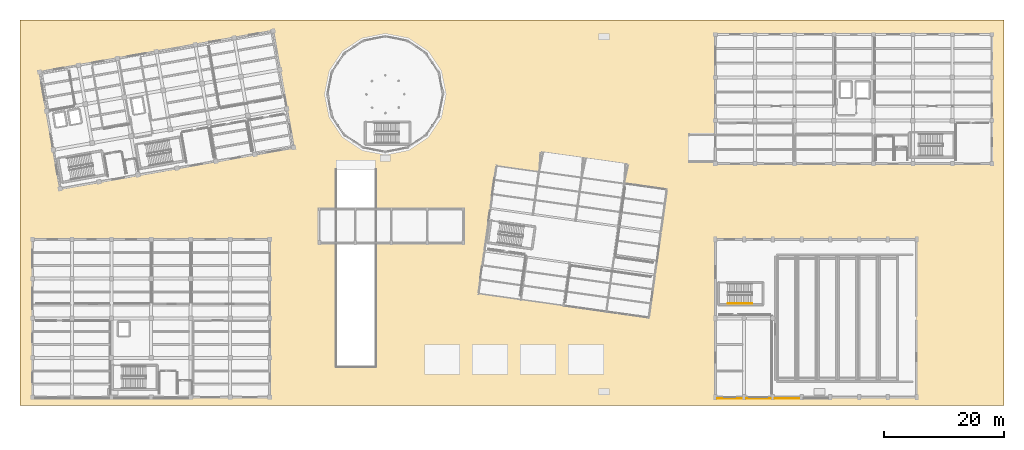
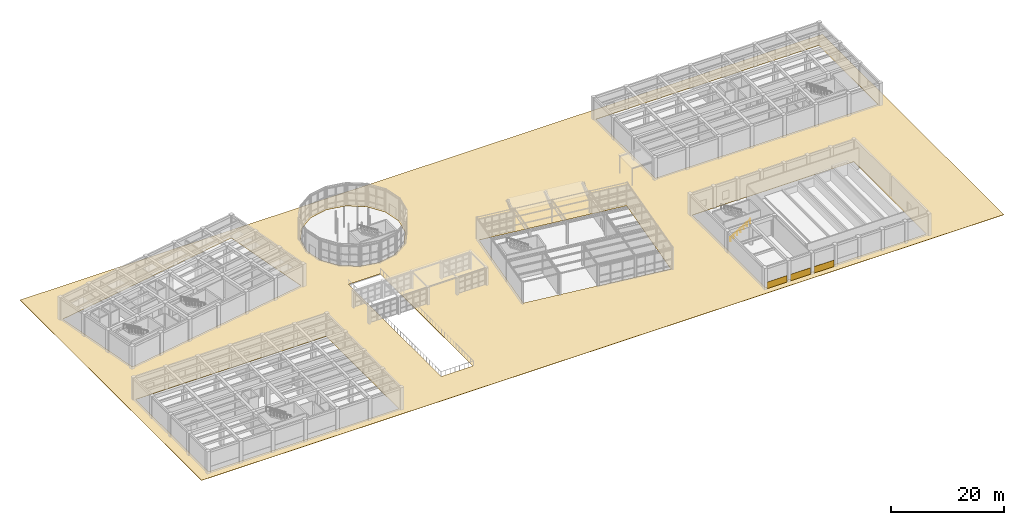
# One storey, part 56 of 57: 4 coverings, 1 railing.
"""IFC4 building model written with IfcOpenShell, lengths in metres."""

import ifcopenshell
import ifcopenshell.guid

model = None  # the IFC model being written
_history = None  # IfcOwnerHistory: only IFC2X3 demands one
_inside = {}  # id of a spatial element -> (the spatial element, [elements in it])
_under = {}  # id of a project, library or spatial element -> (it, [spatial elements below it])
_declared = {}  # id of a project -> (the project, [libraries it declares])
_typed = {}  # id of a type object -> (the type object, [elements of that type])
_made_of = {}  # id of a material, layer set ... -> (it, [elements and type objects made of it])


def new_model(schema):
    """Start an empty IFC model of exactly this schema.

    Asked for "IFC4X3", IfcOpenShell would pick the latest addendum, in which some entities
    have other attributes; the version numbers below select the first issue.
    IFC2X3 requires an IfcOwnerHistory on every rooted entity: one is made here for all.
    """
    global model, _history
    if schema == "IFC4X3":
        model = ifcopenshell.file(schema_version=(4, 3, 0, 0))
    else:
        model = ifcopenshell.file(schema=schema)
    _inside.clear()
    _under.clear()
    _declared.clear()
    _typed.clear()
    _made_of.clear()
    _history = None
    if model.schema == "IFC2X3":
        org = make("IfcOrganization", Name="unknown")
        user = make(
            "IfcPersonAndOrganization",
            ThePerson=make("IfcPerson", FamilyName="unknown"),
            TheOrganization=org,
        )
        app = make(
            "IfcApplication",
            ApplicationDeveloper=org,
            Version="unknown",
            ApplicationFullName="unknown",
            ApplicationIdentifier="unknown",
        )
        _history = make(
            "IfcOwnerHistory",
            OwningUser=user,
            OwningApplication=app,
            ChangeAction="ADDED",
            CreationDate=0,
        )
    return model


def make(cls, **values):
    """One entity of the class cls with the attributes given. An attribute that is None is left unset."""
    return model.create_entity(
        cls, **{name: value for name, value in values.items() if value is not None}
    )


def rooted(cls, **values):
    """An entity with a GlobalId (a new one), such as an element, a storey or a relation."""
    return make(cls, GlobalId=ifcopenshell.guid.new(), OwnerHistory=_history, **values)


def si_unit(unit_type, name, prefix=None):
    """IfcSIUnit, for example si_unit("LENGTHUNIT", "METRE", prefix="MILLI")."""
    return make("IfcSIUnit", UnitType=unit_type, Prefix=prefix, Name=name)


def assignment(units):
    """IfcUnitAssignment: the units of a project."""
    return None if units is None else make("IfcUnitAssignment", Units=units)


def point(xyz):
    """IfcCartesianPoint."""
    return None if xyz is None else make("IfcCartesianPoint", Coordinates=xyz)


def direction(xyz):
    """IfcDirection."""
    return None if xyz is None else make("IfcDirection", DirectionRatios=xyz)


def frame(location, z_axis=None, x_axis=None):
    """IfcAxis2Placement3D, a coordinate frame: its origin and axes. An axis left out is left unset."""
    return make(
        "IfcAxis2Placement3D",
        Location=point(location),
        Axis=direction(z_axis),
        RefDirection=direction(x_axis),
    )


def frame_2d(location, x_axis=None):
    """IfcAxis2Placement2D, a coordinate frame in the plane: its origin and x axis."""
    return make(
        "IfcAxis2Placement2D", Location=point(location), RefDirection=direction(x_axis)
    )


def origin():
    """The frame at (0, 0, 0) with its axes left unset."""
    return frame((0.0, 0.0, 0.0))


def origin_2d():
    """The frame at (0, 0) in the plane with its x axis left unset."""
    return frame_2d((0.0, 0.0))


def place(relative_to, where):
    """IfcLocalPlacement: puts the frame where relative to a parent placement (None: the world)."""
    return make(
        "IfcLocalPlacement", PlacementRelTo=relative_to, RelativePlacement=where
    )


def context(
    kind, dimensions, precision=None, world=None, true_north=None, identifier=None
):
    """IfcGeometricRepresentationContext, for example the 3D "Model" context."""
    return make(
        "IfcGeometricRepresentationContext",
        ContextIdentifier=identifier,
        ContextType=kind,
        CoordinateSpaceDimension=dimensions,
        Precision=precision,
        WorldCoordinateSystem=world,
        TrueNorth=true_north,
    )


def subcontext(parent, identifier, kind, view, scale=None):
    """IfcGeometricRepresentationSubContext, for example "Body" below "Model"."""
    return make(
        "IfcGeometricRepresentationSubContext",
        ContextIdentifier=identifier,
        ContextType=kind,
        ParentContext=parent,
        TargetScale=scale,
        TargetView=view,
    )


def project(units=None, contexts=None):
    """IfcProject with its units and contexts."""
    return rooted(
        "IfcProject",
        Name="project",
        RepresentationContexts=contexts,
        UnitsInContext=assignment(units),
    )


def spatial(cls, under=None, at=None, **own):
    """A site, building, storey or space (cls), placed at a placement, below another one or the project."""
    s = rooted(cls, ObjectPlacement=at, **own)
    if under is not None:
        _under.setdefault(under.id(), (under, []))[1].append(s)
    return s


def polyline(points):
    """IfcPolyline through the points."""
    return make("IfcPolyline", Points=[point(p) for p in points])


def profile(cls, at=None, kind="AREA", **sizes):
    """A parametric profile (cls). Its sizes go by their IFC names, for example OverallWidth=200.0."""
    return make(cls, ProfileType=kind, Position=at, **sizes)


def rectangle(**sizes):
    """IfcRectangleProfileDef."""
    return profile("IfcRectangleProfileDef", **sizes)


def circle(**sizes):
    """IfcCircleProfileDef."""
    return profile("IfcCircleProfileDef", **sizes)


def outline(outer, holes=None, kind="AREA"):
    """IfcArbitraryClosedProfileDef: a profile drawn as a closed curve; with holes, ...WithVoids."""
    if holes is None:
        return make("IfcArbitraryClosedProfileDef", ProfileType=kind, OuterCurve=outer)
    return make(
        "IfcArbitraryProfileDefWithVoids",
        ProfileType=kind,
        OuterCurve=outer,
        InnerCurves=holes,
    )


def extrude(swept, where, along, depth):
    """IfcExtrudedAreaSolid: the profile swept, set in the frame where, extruded along a direction by depth."""
    return make(
        "IfcExtrudedAreaSolid",
        SweptArea=swept,
        Position=where,
        ExtrudedDirection=direction(along),
        Depth=depth,
    )


def shape(context_of_items, identifier, shape_type, items):
    """IfcShapeRepresentation: the items that make up one representation, for example the "Body"."""
    return make(
        "IfcShapeRepresentation",
        ContextOfItems=context_of_items,
        RepresentationIdentifier=identifier,
        RepresentationType=shape_type,
        Items=items,
    )


def material(Name=None, Category=None):
    """IfcMaterial."""
    return make("IfcMaterial", Name=Name, Category=Category)


def layer(
    of_material, thickness, ventilated=None, Name=None, Category=None, Priority=None
):
    """IfcMaterialLayer: one layer of a wall or slab, of a material (None: an air gap)."""
    return make(
        "IfcMaterialLayer",
        Material=of_material,
        LayerThickness=thickness,
        IsVentilated=ventilated,
        Name=Name,
        Category=Category,
        Priority=Priority,
    )


def layer_set(layers, Name=None):
    """IfcMaterialLayerSet."""
    return make("IfcMaterialLayerSet", MaterialLayers=layers, LayerSetName=Name)


def made_of(thing, what):
    """Note that an element or type object is made of a material, layer set ...; save() writes the relation."""
    if what is not None:
        _made_of.setdefault(what.id(), (what, []))[1].append(thing)
    return thing


def type_object(cls, material=None, **own):
    """A type object (cls), such as IfcWallType, which elements share."""
    return made_of(rooted(cls, **own), material)


def element(
    cls,
    number,
    at=None,
    inside=None,
    cuts=None,
    type_object=None,
    material=None,
    context=None,
    identifier="Body",
    shape_type=None,
    held_by="IfcProductDefinitionShape",
    body=None,
    shapes=None,
    **own,
):
    """One element of the class cls, such as IfcWall. Its Tag is "e" and its number.

    at: its placement. inside: the storey or other place that contains it. cuts: it is an
    opening in that element (IfcRelVoidsElement). A single representation is given by context,
    identifier, shape_type and body (its items); several are given by shapes. held_by: the class
    of the entity that holds the representations. save() writes the other relations.
    """
    e = rooted(cls, Tag="e%d" % number, ObjectPlacement=at, **own)
    if body is not None:
        shapes = [shape(context, identifier, shape_type, body)]
    if shapes is not None:
        e.Representation = make(held_by, Representations=shapes)
    if inside is not None:
        _inside.setdefault(inside.id(), (inside, []))[1].append(e)
    if cuts is not None:
        rooted(
            "IfcRelVoidsElement", RelatingBuildingElement=cuts, RelatedOpeningElement=e
        )
    if type_object is not None:
        _typed.setdefault(type_object.id(), (type_object, []))[1].append(e)
    return made_of(e, material)


def aggregate(whole, parts):
    """IfcRelAggregates: a whole, such as a stair, and the parts it consists of."""
    return rooted("IfcRelAggregates", RelatingObject=whole, RelatedObjects=parts)


def save(model, path):
    """Write the relations noted so far, then the file.

    IfcRelAggregates (storeys below a building ...), IfcRelContainedInSpatialStructure (elements
    in a storey), IfcRelDefinesByType, IfcRelAssociatesMaterial and IfcRelDeclares: one each for
    every whole, place, type object, material and project.
    """
    for whole, parts in _under.values():
        aggregate(whole, parts)
    for where, things in _inside.values():
        rooted(
            "IfcRelContainedInSpatialStructure",
            RelatedElements=things,
            RelatingStructure=where,
        )
    for kind, things in _typed.values():
        rooted("IfcRelDefinesByType", RelatedObjects=things, RelatingType=kind)
    for what, things in _made_of.values():
        rooted("IfcRelAssociatesMaterial", RelatedObjects=things, RelatingMaterial=what)
    for by, libraries in _declared.values():
        rooted("IfcRelDeclares", RelatingContext=by, RelatedDefinitions=libraries)
    model.write(path)


model = new_model("IFC4")

# Units and contexts
model_context = context("Model", 3, precision=1e-05, world=origin(), true_north=direction((0.0, 1.0)))
body_context = subcontext(model_context, "Body", "Model", "MODEL_VIEW")
ifc_project = project(units=[si_unit("LENGTHUNIT", "METRE"), si_unit("AREAUNIT", "SQUARE_METRE"), si_unit("VOLUMEUNIT", "CUBIC_METRE"), si_unit("PLANEANGLEUNIT", "RADIAN"), si_unit("MASSUNIT", "GRAM", prefix="KILO")], contexts=[model_context])

# Site, building, storey
site_placement = place(None, origin())
site = spatial("IfcSite", under=ifc_project, at=site_placement, CompositionType="ELEMENT")
building_placement = place(site_placement, origin())
building = spatial("IfcBuilding", under=site, at=building_placement, Name="Kharisveld Research Institute", CompositionType="ELEMENT")
storey_placement = place(building_placement, origin())
storey = spatial("IfcBuildingStorey", under=building, at=storey_placement, Name="L00", CompositionType="ELEMENT", Elevation=0.0)

# Coverings
ifc_material_1 = material(Name="Khomas Mica-Schist Stone", Category="masonry")
ifc_layer_1 = layer(ifc_material_1, 0.054931640625)
ifc_layer_set_1 = layer_set([ifc_layer_1], Name="CV_CLAD_SCHIST")
covering_type_1 = type_object("IfcCoveringType", Name="CV_CLAD_SCHIST", PredefinedType="CLADDING", material=ifc_layer_set_1)
for number, where, z_axis, x_axis, name in (
    (1, (126.60009765625, 0.001953125, 0.0), (0.0, 0.0, 1.0), (-1.0, 0.0, 0.0), "COV:V5:L00:SCHIST_S3"),
    (2, (121.800048828125, 0.001953125, 0.0), (0.0, 0.0, 1.0), (-1.0, 0.0, 0.0), "COV:V5:L00:SCHIST_S2"),
    (3, (117.0, 0.001953125, 0.0), (0.0, 0.0, 1.0), (-1.0, 0.0, 0.0), "COV:V5:L00:SCHIST_S1"),
):
    element("IfcCovering", number, at=place(storey_placement, frame(where, z_axis=z_axis, x_axis=x_axis)), inside=storey, type_object=covering_type_1, Name=name, PredefinedType="CLADDING", context=body_context, shape_type="SweptSolid", body=[
        extrude(rectangle(XDim=4.090087890625, YDim=0.054931640625, at=origin_2d()), origin(), (0.0, 0.0, 1.0), 1.39990234375),
    ])
ifc_material_2 = material(Name="Khomas Quartzite Paving", Category="mineral")
ifc_layer_2 = layer(ifc_material_2, 0.06005859375)
ifc_layer_set_2 = layer_set([ifc_layer_2], Name="CV_PAVE_COURT")
covering_type_2 = type_object("IfcCoveringType", Name="CV_PAVE_COURT", PredefinedType="FLOORING", material=ifc_layer_set_2)
covering_placement = place(storey_placement, frame((0.0, 0.0, -0.06005859375)))
element("IfcCovering", 4, at=covering_placement, inside=storey, type_object=covering_type_2, Name="COV:L00:PAVE_CAMPUS", PredefinedType="FLOORING", context=body_context, shape_type="SweptSolid", body=[
    extrude(outline(polyline([(-1.5, -1.199951171875), (162.800048828125, -1.199951171875), (162.800048828125, 63.199951171875), (-1.5, 63.199951171875), (-1.5, -1.199951171875)]), holes=[polyline([(39.89990234375, 0.5), (0.89990234375, 0.5), (0.89990234375, 26.300048828125), (39.89990234375, 26.300048828125), (39.89990234375, 0.5)]), polyline([(114.89990234375, 0.5), (114.89990234375, 26.300048828125), (147.89990234375, 26.300048828125), (147.89990234375, 0.5), (114.89990234375, 0.5)]), polyline([(51.35009765625, 5.35009765625), (51.35009765625, 38.25), (57.85009765625, 38.25), (57.85009765625, 5.35009765625), (51.35009765625, 5.35009765625)]), polyline([(75.3388671875, 17.75537109375), (78.261474609375, 38.551025390625), (106.18701171875, 34.626220703125), (103.264404296875, 13.83056640625), (75.3388671875, 17.75537109375)]), polyline([(5.443359375, 35.357421875), (2.109375, 54.265869140625), (40.516845703125, 61.0380859375), (43.850830078125, 42.1298828125), (5.443359375, 35.357421875)]), polyline([(114.89990234375, 39.5), (114.89990234375, 60.5), (160.5, 60.5), (160.5, 39.5), (114.89990234375, 39.5)]), polyline([(59.5, 41.449951171875), (55.921875, 42.16162109375), (52.888671875, 44.1884765625), (50.86181640625, 47.221923828125), (50.14990234375, 50.800048828125), (50.86181640625, 54.378173828125), (52.888671875, 57.411376953125), (55.921875, 59.438232421875), (59.5, 60.14990234375), (63.078125, 59.438232421875), (66.111328125, 57.411376953125), (68.13818359375, 54.378173828125), (68.85009765625, 50.800048828125), (68.13818359375, 47.221923828125), (66.111328125, 44.1884765625), (63.078125, 42.16162109375), (59.5, 41.449951171875)])]), origin(), (0.0, 0.0, 1.0), 0.06005859375),
])

# Railing
ifc_material_3 = material(Name="Stainless Steel 316", Category="steel")
railing_type = type_object("IfcRailingType", Name="RL_HND_STR", PredefinedType="HANDRAIL", material=ifc_material_3)
railing_placement = place(storey_placement, frame((116.669921875, 15.8798828125, 0.0)))
element("IfcRailing", 5, at=railing_placement, inside=storey, type_object=railing_type, Name="RLG:ST6:L00:HR1", PredefinedType="HANDRAIL", context=body_context, shape_type="SweptSolid", body=[
    extrude(circle(Radius=0.02392578125, at=origin_2d()), frame((0.0, 0.0, 0.89599609375), z_axis=(0.84682331819, 0.0, 0.531874296963), x_axis=(0.0, 1.0, 0.0)), (0.0, 0.0, 1.0), 4.79443359375),
    extrude(circle(Radius=0.02099609375, at=origin_2d()), origin(), (0.0, 0.0, 1.0), 0.871826171875),
    extrude(circle(Radius=0.02099609375, at=origin_2d()), frame((0.6767578125, 0.0, 0.425048828125)), (0.0, 0.0, 1.0), 0.871826171875),
    extrude(circle(Radius=0.02099609375, at=origin_2d()), frame((1.353271484375, 0.0, 0.85009765625)), (0.0, 0.0, 1.0), 0.871826171875),
    extrude(circle(Radius=0.02099609375, at=origin_2d()), frame((2.030029296875, 0.0, 1.27490234375)), (0.0, 0.0, 1.0), 0.871826171875),
    extrude(circle(Radius=0.02099609375, at=origin_2d()), frame((2.706787109375, 0.0, 1.699951171875)), (0.0, 0.0, 1.0), 0.871826171875),
    extrude(circle(Radius=0.02099609375, at=origin_2d()), frame((3.38330078125, 0.0, 2.125)), (0.0, 0.0, 1.0), 0.871826171875),
    extrude(circle(Radius=0.02099609375, at=origin_2d()), frame((4.06005859375, 0.0, 2.550048828125)), (0.0, 0.0, 1.0), 0.871826171875),
])

save(model, "model.ifc")
